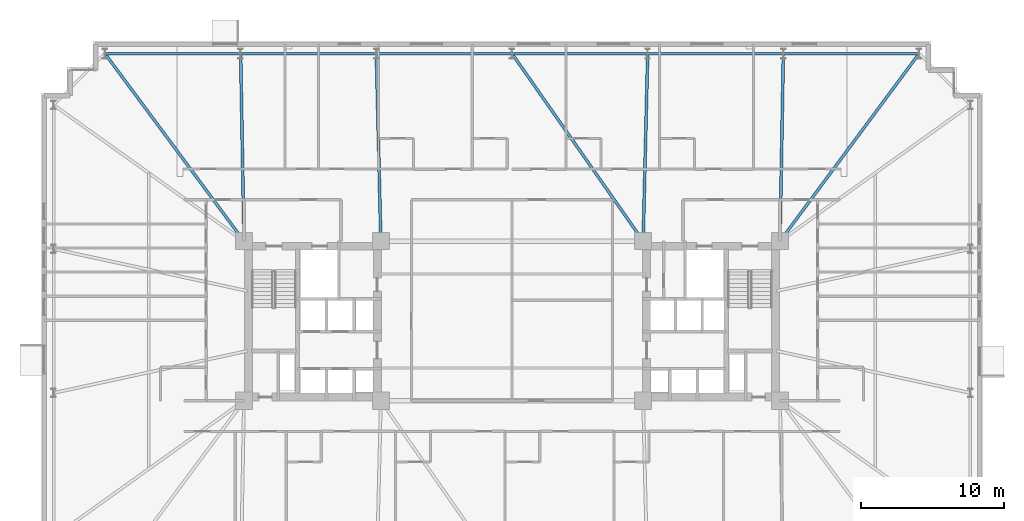
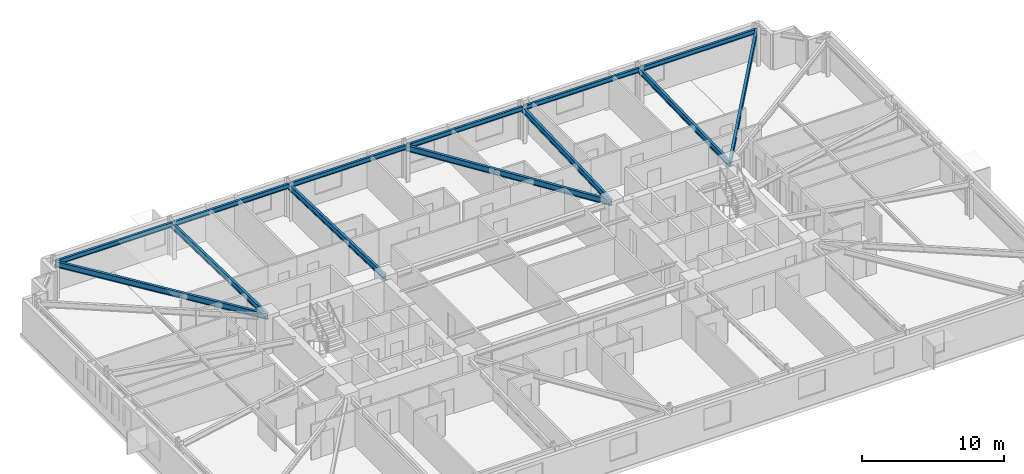
# One storey, part 9 of 22: 13 beams.
"""IFC4 building model written with IfcOpenShell, lengths in metres."""

from ifc_helpers import new_model, si_unit, direction, frame, origin, origin_2d, place, context, subcontext, project, spatial, i_section, extrude, material, material_profile, profile_set, type_object, element, save


model = new_model("IFC4")

# Units and contexts
model_context = context("Model", 3, precision=1e-05, world=origin(), true_north=direction((0.0, 1.0)))
body_context = subcontext(model_context, "Body", "Model", "MODEL_VIEW")
ifc_project = project(units=[si_unit("LENGTHUNIT", "METRE"), si_unit("AREAUNIT", "SQUARE_METRE"), si_unit("VOLUMEUNIT", "CUBIC_METRE"), si_unit("PLANEANGLEUNIT", "RADIAN"), si_unit("MASSUNIT", "GRAM", prefix="KILO")], contexts=[model_context])

# Site, building, storey
site_placement = place(None, origin())
site = spatial("IfcSite", under=ifc_project, at=site_placement, CompositionType="ELEMENT")
building_placement = place(site_placement, origin())
building = spatial("IfcBuilding", under=site, at=building_placement, Name="Qobustan Lattice House", CompositionType="ELEMENT")
storey_placement = place(building_placement, frame((0.0, 0.0, 33.699951171875)))
storey = spatial("IfcBuildingStorey", under=building, at=storey_placement, Name="L08", CompositionType="ELEMENT", Elevation=33.699951171875)

# Beams
ifc_material_1 = material(Name="Steel S355", Category="steel")
ifc_material_profile_1 = material_profile(ifc_material_1, i_section(OverallWidth=0.199951171875, OverallDepth=0.5, WebThickness=0.01025390625, FlangeThickness=0.01611328125, FilletRadius=0.02099609375, at=origin_2d()), Name="IPE500")
ifc_profile_set_1 = profile_set([ifc_material_profile_1], Name="Steel S355")
beam_type_1 = type_object("IfcBeamType", Name="BM-FLG-IPE500", PredefinedType="USERDEFINED", material=ifc_profile_set_1)
beam_1_placement = place(storey_placement, frame((-28.53515625, 18.72998046875, 2.78515625), z_axis=(0.5955916815, -0.803287338956, 0.0), x_axis=(0.803287338956, 0.5955916815, 0.0)))
element("IfcBeam", 1, at=beam_1_placement, inside=storey, type_object=beam_type_1, Name="L08 primary floor girder RAD-N7W", ObjectType="GIRDER", PredefinedType="USERDEFINED", context=body_context, shape_type="SweptSolid", body=[
    extrude(i_section(OverallWidth=0.199951171875, OverallDepth=0.5, WebThickness=0.01025390625, FlangeThickness=0.01611328125, FilletRadius=0.02099609375, at=origin_2d()), origin(), (0.0, 0.0, 1.0), 16.3203125),
])
beam_2_placement = place(storey_placement, frame((-19.032958984375, 18.72509765625, 2.78515625), z_axis=(0.017757831607, -0.999842317276, 0.0), x_axis=(0.999842317276, 0.017757831607, 0.0)))
element("IfcBeam", 2, at=beam_2_placement, inside=storey, type_object=beam_type_1, Name="L08 primary floor girder RAD-N6", ObjectType="GIRDER", PredefinedType="USERDEFINED", context=body_context, shape_type="SweptSolid", body=[
    extrude(i_section(OverallWidth=0.199951171875, OverallDepth=0.5, WebThickness=0.01025390625, FlangeThickness=0.01611328125, FilletRadius=0.02099609375, at=origin_2d()), origin(), (0.0, 0.0, 1.0), 13.10205078125),
])
beam_3_placement = place(storey_placement, frame((-9.51611328125, 18.72509765625, 2.78515625), z_axis=(0.024071445657, -0.999710240772, 0.0), x_axis=(0.999710240772, 0.024071445657, 0.0)))
element("IfcBeam", 3, at=beam_3_placement, inside=storey, type_object=beam_type_1, Name="L08 primary floor girder RAD-N5", ObjectType="GIRDER", PredefinedType="USERDEFINED", context=body_context, shape_type="SweptSolid", body=[
    extrude(i_section(OverallWidth=0.199951171875, OverallDepth=0.5, WebThickness=0.01025390625, FlangeThickness=0.01611328125, FilletRadius=0.02099609375, at=origin_2d()), origin(), (0.0, 0.0, 1.0), 13.10400390625),
])
beam_4_placement = place(storey_placement, frame((0.014404296875, 18.7294921875, 2.78515625), z_axis=(0.57325954206, -0.819373844736, 0.0), x_axis=(0.819373844736, 0.57325954206, 0.0)))
element("IfcBeam", 4, at=beam_4_placement, inside=storey, type_object=beam_type_1, Name="L08 primary floor girder RAD-N4", ObjectType="GIRDER", PredefinedType="USERDEFINED", context=body_context, shape_type="SweptSolid", body=[
    extrude(i_section(OverallWidth=0.199951171875, OverallDepth=0.5, WebThickness=0.01025390625, FlangeThickness=0.01611328125, FilletRadius=0.02099609375, at=origin_2d()), origin(), (0.0, 0.0, 1.0), 15.998779296875),
])
beam_5_placement = place(storey_placement, frame((9.51611328125, 18.72509765625, 2.78515625), z_axis=(-0.024071445657, -0.999710240772, 0.0), x_axis=(0.999710240772, -0.024071445657, 0.0)))
element("IfcBeam", 5, at=beam_5_placement, inside=storey, type_object=beam_type_1, Name="L08 primary floor girder RAD-N3", ObjectType="GIRDER", PredefinedType="USERDEFINED", context=body_context, shape_type="SweptSolid", body=[
    extrude(i_section(OverallWidth=0.199951171875, OverallDepth=0.5, WebThickness=0.01025390625, FlangeThickness=0.01611328125, FilletRadius=0.02099609375, at=origin_2d()), origin(), (0.0, 0.0, 1.0), 13.10400390625),
])
beam_6_placement = place(storey_placement, frame((19.032958984375, 18.72509765625, 2.78515625), z_axis=(-0.017757831607, -0.999842317276, 0.0), x_axis=(0.999842317276, -0.017757831607, 0.0)))
element("IfcBeam", 6, at=beam_6_placement, inside=storey, type_object=beam_type_1, Name="L08 primary floor girder RAD-N2", ObjectType="GIRDER", PredefinedType="USERDEFINED", context=body_context, shape_type="SweptSolid", body=[
    extrude(i_section(OverallWidth=0.199951171875, OverallDepth=0.5, WebThickness=0.01025390625, FlangeThickness=0.01611328125, FilletRadius=0.02099609375, at=origin_2d()), origin(), (0.0, 0.0, 1.0), 13.10205078125),
])
beam_7_placement = place(storey_placement, frame((28.53515625, 18.72998046875, 2.78515625), z_axis=(-0.5955916815, -0.803287338956, 0.0), x_axis=(0.803287338956, -0.5955916815, 0.0)))
element("IfcBeam", 7, at=beam_7_placement, inside=storey, type_object=beam_type_1, Name="L08 primary floor girder RAD-N1E", ObjectType="GIRDER", PredefinedType="USERDEFINED", context=body_context, shape_type="SweptSolid", body=[
    extrude(i_section(OverallWidth=0.199951171875, OverallDepth=0.5, WebThickness=0.01025390625, FlangeThickness=0.01611328125, FilletRadius=0.02099609375, at=origin_2d()), origin(), (0.0, 0.0, 1.0), 16.3203125),
])
ifc_material_2 = material(Name="Steel S355", Category="steel")
ifc_material_profile_2 = material_profile(ifc_material_2, i_section(OverallWidth=0.179931640625, OverallDepth=0.39990234375, WebThickness=0.008544921875, FlangeThickness=0.013427734375, FilletRadius=0.02099609375, at=origin_2d()), Name="IPE400")
ifc_profile_set_2 = profile_set([ifc_material_profile_2], Name="Steel S355")
beam_type_2 = type_object("IfcBeamType", Name="BM-SPD-IPE400", PredefinedType="SPANDREL", material=ifc_profile_set_2)
for number, where, z_axis, x_axis, name in (
    (8, (28.52490234375, 18.75, 2.8349609375), (-1.0, 0.0, 0.0), (0.0, -1.0, 0.0), "L08 perimeter spandrel N1-N2"),
    (9, (19.00830078125, 18.75, 2.8349609375), (-1.0, 0.0, 0.0), (0.0, -1.0, 0.0), "L08 perimeter spandrel N2-N3"),
):
    element("IfcBeam", number, at=place(storey_placement, frame(where, z_axis=z_axis, x_axis=x_axis)), inside=storey, type_object=beam_type_2, Name=name, PredefinedType="SPANDREL", context=body_context, shape_type="SweptSolid", body=[
        extrude(i_section(OverallWidth=0.179931640625, OverallDepth=0.39990234375, WebThickness=0.008544921875, FlangeThickness=0.013427734375, FilletRadius=0.02099609375, at=origin_2d()), origin(), (0.0, 0.0, 1.0), 9.466552734375),
    ])
for number, where, z_axis, x_axis, name in (
    (10, (9.49169921875, 18.75, 2.8349609375), (-1.0, 0.0, 0.0), (0.0, -1.0, 0.0), "L08 perimeter spandrel N3-N4"),
    (11, (-0.02490234375, 18.75, 2.8349609375), (-1.0, 0.0, 0.0), (0.0, -1.0, 0.0), "L08 perimeter spandrel N4-N5"),
):
    element("IfcBeam", number, at=place(storey_placement, frame(where, z_axis=z_axis, x_axis=x_axis)), inside=storey, type_object=beam_type_2, Name=name, PredefinedType="SPANDREL", context=body_context, shape_type="SweptSolid", body=[
        extrude(i_section(OverallWidth=0.179931640625, OverallDepth=0.39990234375, WebThickness=0.008544921875, FlangeThickness=0.013427734375, FilletRadius=0.02099609375, at=origin_2d()), origin(), (0.0, 0.0, 1.0), 9.466796875),
    ])
for number, where, z_axis, x_axis, name in (
    (12, (-9.541748046875, 18.75, 2.8349609375), (-1.0, 0.0, 0.0), (0.0, -1.0, 0.0), "L08 perimeter spandrel N5-N6"),
    (13, (-19.058349609375, 18.75, 2.8349609375), (-1.0, 0.0, 0.0), (0.0, -1.0, 0.0), "L08 perimeter spandrel N6-N7"),
):
    element("IfcBeam", number, at=place(storey_placement, frame(where, z_axis=z_axis, x_axis=x_axis)), inside=storey, type_object=beam_type_2, Name=name, PredefinedType="SPANDREL", context=body_context, shape_type="SweptSolid", body=[
        extrude(i_section(OverallWidth=0.179931640625, OverallDepth=0.39990234375, WebThickness=0.008544921875, FlangeThickness=0.013427734375, FilletRadius=0.02099609375, at=origin_2d()), origin(), (0.0, 0.0, 1.0), 9.466552734375),
    ])

save(model, "model.ifc")
